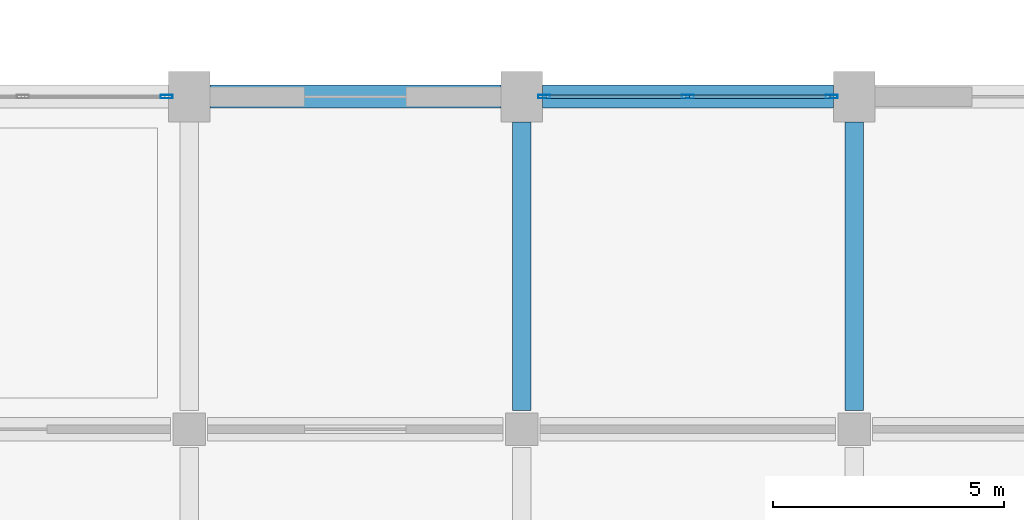
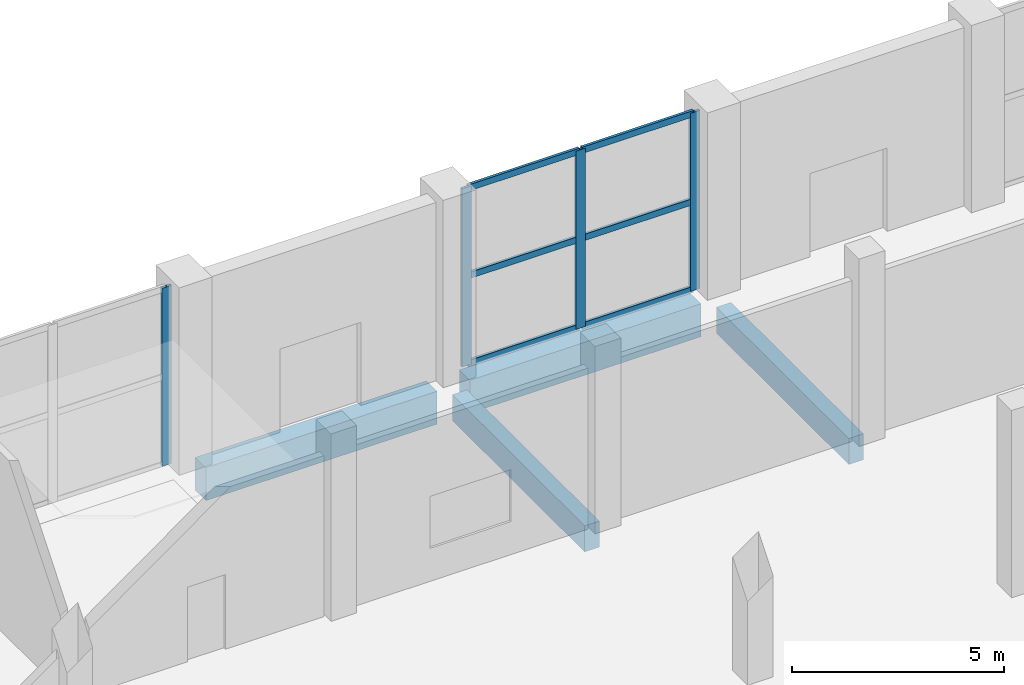
# One storey, part 25 of 70: 10 members, 4 beams, 2 elements without a shape of their own.
"""IFC4 building model written with IfcOpenShell, lengths in metres."""

from ifc_helpers import new_model, si_unit, direction, frame, origin, origin_2d, place, context, subcontext, project, spatial, rectangle, hollow_rectangle, extrude, material, material_profile, profile_set, type_object, element, aggregate, save


model = new_model("IFC4")

# Units and contexts
model_context = context("Model", 3, precision=1e-05, world=origin(), true_north=direction((0.0, 1.0)))
body_context = subcontext(model_context, "Body", "Model", "MODEL_VIEW")
ifc_project = project(units=[si_unit("LENGTHUNIT", "METRE"), si_unit("AREAUNIT", "SQUARE_METRE"), si_unit("VOLUMEUNIT", "CUBIC_METRE"), si_unit("PLANEANGLEUNIT", "RADIAN"), si_unit("MASSUNIT", "GRAM", prefix="KILO")], contexts=[model_context])

# Site, building, storey
site_placement = place(None, origin())
site = spatial("IfcSite", under=ifc_project, at=site_placement, CompositionType="ELEMENT")
building_placement = place(site_placement, origin())
building = spatial("IfcBuilding", under=site, at=building_placement, Name="Vesperath Aquatics Centre", CompositionType="ELEMENT")
storey_placement = place(building_placement, origin())
storey = spatial("IfcBuildingStorey", under=building, at=storey_placement, Name="L00", CompositionType="ELEMENT", Elevation=0.0)

# Beams
ifc_material_1 = material(Name="Concrete C40", Category="concrete")
ifc_material_profile_1 = material_profile(ifc_material_1, rectangle(XDim=0.5, YDim=0.949951171875, at=origin_2d()), Name="RC 500x950")
ifc_profile_set_1 = profile_set([ifc_material_profile_1], Name="Concrete C40")
beam_type_1 = type_object("IfcBeamType", Name="BM-G02", PredefinedType="BEAM", material=ifc_profile_set_1)
for number, where, z_axis, x_axis, name in (
    (1, (65.25, 86.39990234375, -0.7548828125), (1.0, 0.0, 0.0), (0.0, 1.0, 0.0), "Floor Girder B02 L00 N 10-11"),
    (2, (72.449951171875, 86.39990234375, -0.7548828125), (1.0, 0.0, 0.0), (0.0, 1.0, 0.0), "Floor Girder B02 L00 N 11-12"),
):
    element("IfcBeam", number, at=place(storey_placement, frame(where, z_axis=z_axis, x_axis=x_axis)), inside=storey, type_object=beam_type_1, Name=name, PredefinedType="BEAM", context=body_context, shape_type="SweptSolid", body=[
        extrude(rectangle(XDim=0.5, YDim=0.949951171875, at=origin_2d()), origin(), (0.0, 0.0, 1.0), 6.300048828125),
    ])
ifc_material_2 = material(Name="Concrete C35", Category="concrete")
ifc_material_profile_2 = material_profile(ifc_material_2, rectangle(XDim=0.39990234375, YDim=0.75, at=origin_2d()), Name="RC 400x750")
ifc_profile_set_2 = profile_set([ifc_material_profile_2], Name="Concrete C35")
beam_type_2 = type_object("IfcBeamType", Name="BM-G04", PredefinedType="BEAM", material=ifc_profile_set_2)
for number, where, z_axis, x_axis, name in (
    (3, (72.0, 79.60009765625, -0.655029296875), (0.0, 1.0, 0.0), (-1.0, 0.0, 0.0), "Floor Girder B04 L00 11 M-N"),
    (4, (79.199951171875, 79.60009765625, -0.655029296875), (0.0, 1.0, 0.0), (-1.0, 0.0, 0.0), "Floor Girder B04 L00 12 M-N"),
):
    element("IfcBeam", number, at=place(storey_placement, frame(where, z_axis=z_axis, x_axis=x_axis)), inside=storey, type_object=beam_type_2, Name=name, PredefinedType="BEAM", context=body_context, shape_type="SweptSolid", body=[
        extrude(rectangle(XDim=0.39990234375, YDim=0.75, at=origin_2d()), origin(), (0.0, 0.0, 1.0), 6.25),
    ])

# Curtain wall, member
ifc_material_3 = material(Name="Thermally broken anodised bronze aluminium curtain wall", Category="aluminium")
curtain_wall_type = type_object("IfcCurtainWallType", Name="CW-01", PredefinedType="NOTDEFINED", material=ifc_material_3)
curtain_wall_1_placement = place(storey_placement, origin())
curtain_wall_1 = element("IfcCurtainWall", 5, at=curtain_wall_1_placement, inside=storey, type_object=curtain_wall_type, Name="Facade Curtain Wall CW01 L00_N_08_12", PredefinedType="NOTDEFINED")
ifc_material_4 = material(Name="Thermally broken anodised aluminium", Category="aluminium")
ifc_material_profile_3 = material_profile(ifc_material_4, hollow_rectangle(XDim=0.074951171875, YDim=0.260009765625, WallThickness=0.006103515625, at=origin_2d()), Name="CWM 75x260x6")
ifc_profile_set_3 = profile_set([ifc_material_profile_3], Name="Thermally broken anodised aluminium")
member_type_1 = type_object("IfcMemberType", Name="MB-CWM1", PredefinedType="MULLION", material=ifc_profile_set_3)
member_1_placement = place(storey_placement, frame((64.3125, 86.39990234375, 0.0), z_axis=(0.0, 0.0, 1.0), x_axis=(0.0, 1.0, 0.0)))
member_1 = element("IfcMember", 6, at=member_1_placement, type_object=member_type_1, Name="CW01 mullion 3", PredefinedType="MULLION", context=body_context, shape_type="SweptSolid", body=[
    extrude(hollow_rectangle(XDim=0.074951171875, YDim=0.260009765625, WallThickness=0.006103515625, at=origin_2d()), origin(), (0.0, 0.0, 1.0), 5.139892578125),
])
aggregate(curtain_wall_1, [member_1])

# Curtain wall, members
curtain_wall_2_placement = place(storey_placement, origin())
curtain_wall_2 = element("IfcCurtainWall", 7, at=curtain_wall_2_placement, inside=storey, type_object=curtain_wall_type, Name="Facade Curtain Wall CW01 L00_N_10_12", PredefinedType="NOTDEFINED")
member_2_placement = place(storey_placement, frame((72.487548828125, 86.39990234375, 0.0), z_axis=(0.0, 0.0, 1.0), x_axis=(0.0, 1.0, 0.0)))
member_2 = element("IfcMember", 8, at=member_2_placement, type_object=member_type_1, Name="CW01 mullion 1", PredefinedType="MULLION", context=body_context, shape_type="SweptSolid", body=[
    extrude(hollow_rectangle(XDim=0.074951171875, YDim=0.260009765625, WallThickness=0.006103515625, at=origin_2d()), origin(), (0.0, 0.0, 1.0), 5.139892578125),
])
member_3_placement = place(storey_placement, frame((75.60009765625, 86.39990234375, 0.0), z_axis=(0.0, 0.0, 1.0), x_axis=(0.0, 1.0, 0.0)))
member_3 = element("IfcMember", 9, at=member_3_placement, type_object=member_type_1, Name="CW01 mullion 2", PredefinedType="MULLION", context=body_context, shape_type="SweptSolid", body=[
    extrude(hollow_rectangle(XDim=0.074951171875, YDim=0.260009765625, WallThickness=0.006103515625, at=origin_2d()), origin(), (0.0, 0.0, 1.0), 5.139892578125),
])
member_4_placement = place(storey_placement, frame((78.71240234375, 86.39990234375, 0.0), z_axis=(0.0, 0.0, 1.0), x_axis=(0.0, 1.0, 0.0)))
member_4 = element("IfcMember", 10, at=member_4_placement, type_object=member_type_1, Name="CW01 mullion 3", PredefinedType="MULLION", context=body_context, shape_type="SweptSolid", body=[
    extrude(hollow_rectangle(XDim=0.074951171875, YDim=0.260009765625, WallThickness=0.006103515625, at=origin_2d()), origin(), (0.0, 0.0, 1.0), 5.139892578125),
])
ifc_material_profile_4 = material_profile(ifc_material_4, hollow_rectangle(XDim=0.074951171875, YDim=0.179931640625, WallThickness=0.0048828125, at=origin_2d()), Name="CWT 75x180x5")
ifc_profile_set_4 = profile_set([ifc_material_profile_4], Name="Thermally broken anodised aluminium")
member_type_2 = type_object("IfcMemberType", Name="MB-CWT1", PredefinedType="USERDEFINED", material=ifc_profile_set_4)
member_5_placement = place(storey_placement, frame((72.52490234375, 86.39990234375, 0.03759765625), z_axis=(1.0, 0.0, 0.0), x_axis=(0.0, 1.0, 0.0)))
member_5 = element("IfcMember", 11, at=member_5_placement, type_object=member_type_2, Name="CW01 transom 1.1", ObjectType="TRANSOM", PredefinedType="USERDEFINED", context=body_context, shape_type="SweptSolid", body=[
    extrude(hollow_rectangle(XDim=0.074951171875, YDim=0.179931640625, WallThickness=0.0048828125, at=origin_2d()), origin(), (0.0, 0.0, 1.0), 3.03759765625),
])
member_6_placement = place(storey_placement, frame((72.52490234375, 86.39990234375, 2.570068359375), z_axis=(1.0, 0.0, 0.0), x_axis=(0.0, 1.0, 0.0)))
member_6 = element("IfcMember", 12, at=member_6_placement, type_object=member_type_2, Name="CW01 transom 1.2", ObjectType="TRANSOM", PredefinedType="USERDEFINED", context=body_context, shape_type="SweptSolid", body=[
    extrude(hollow_rectangle(XDim=0.074951171875, YDim=0.179931640625, WallThickness=0.0048828125, at=origin_2d()), origin(), (0.0, 0.0, 1.0), 3.03759765625),
])
member_7_placement = place(storey_placement, frame((72.52490234375, 86.39990234375, 5.1025390625), z_axis=(1.0, 0.0, 0.0), x_axis=(0.0, 1.0, 0.0)))
member_7 = element("IfcMember", 13, at=member_7_placement, type_object=member_type_2, Name="CW01 transom 1.3", ObjectType="TRANSOM", PredefinedType="USERDEFINED", context=body_context, shape_type="SweptSolid", body=[
    extrude(hollow_rectangle(XDim=0.074951171875, YDim=0.179931640625, WallThickness=0.0048828125, at=origin_2d()), origin(), (0.0, 0.0, 1.0), 3.03759765625),
])
member_8_placement = place(storey_placement, frame((75.637451171875, 86.39990234375, 0.03759765625), z_axis=(1.0, 0.0, 0.0), x_axis=(0.0, 1.0, 0.0)))
member_8 = element("IfcMember", 14, at=member_8_placement, type_object=member_type_2, Name="CW01 transom 2.1", ObjectType="TRANSOM", PredefinedType="USERDEFINED", context=body_context, shape_type="SweptSolid", body=[
    extrude(hollow_rectangle(XDim=0.074951171875, YDim=0.179931640625, WallThickness=0.0048828125, at=origin_2d()), origin(), (0.0, 0.0, 1.0), 3.03759765625),
])
member_9_placement = place(storey_placement, frame((75.637451171875, 86.39990234375, 2.570068359375), z_axis=(1.0, 0.0, 0.0), x_axis=(0.0, 1.0, 0.0)))
member_9 = element("IfcMember", 15, at=member_9_placement, type_object=member_type_2, Name="CW01 transom 2.2", ObjectType="TRANSOM", PredefinedType="USERDEFINED", context=body_context, shape_type="SweptSolid", body=[
    extrude(hollow_rectangle(XDim=0.074951171875, YDim=0.179931640625, WallThickness=0.0048828125, at=origin_2d()), origin(), (0.0, 0.0, 1.0), 3.03759765625),
])
member_10_placement = place(storey_placement, frame((75.637451171875, 86.39990234375, 5.1025390625), z_axis=(1.0, 0.0, 0.0), x_axis=(0.0, 1.0, 0.0)))
member_10 = element("IfcMember", 16, at=member_10_placement, type_object=member_type_2, Name="CW01 transom 2.3", ObjectType="TRANSOM", PredefinedType="USERDEFINED", context=body_context, shape_type="SweptSolid", body=[
    extrude(hollow_rectangle(XDim=0.074951171875, YDim=0.179931640625, WallThickness=0.0048828125, at=origin_2d()), origin(), (0.0, 0.0, 1.0), 3.03759765625),
])
aggregate(curtain_wall_2, [member_2, member_3, member_4, member_5, member_6, member_7, member_8, member_9, member_10])

save(model, "model.ifc")
